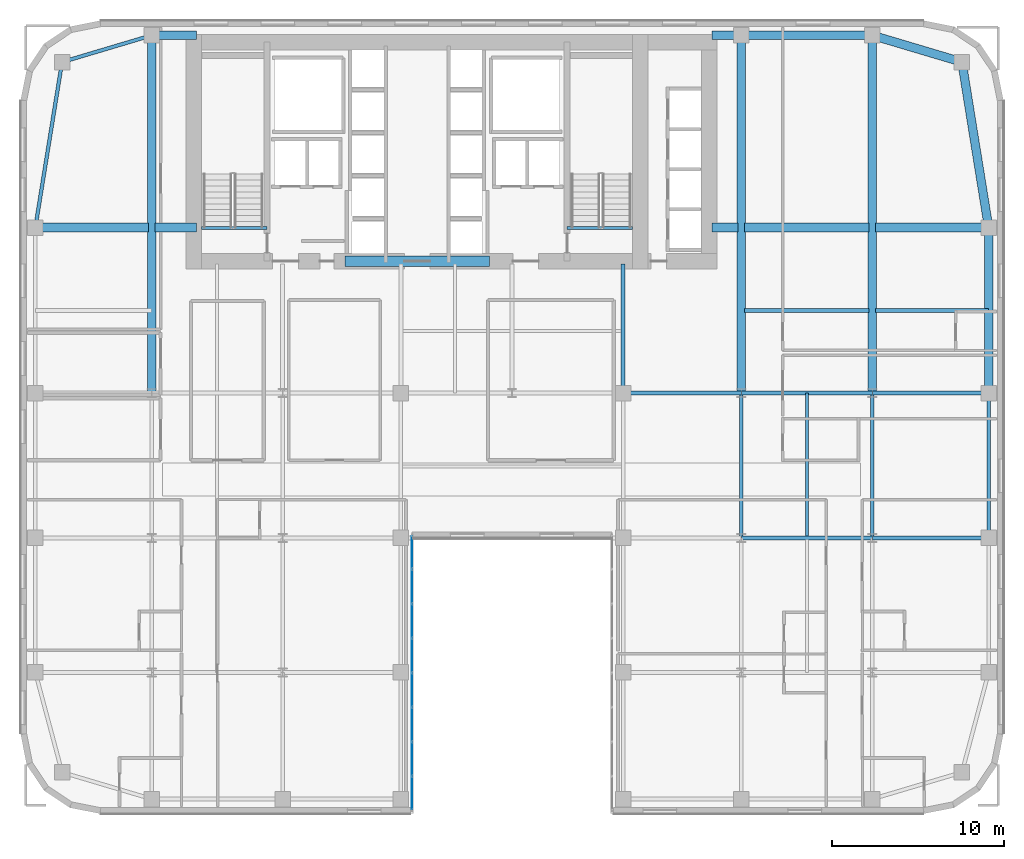
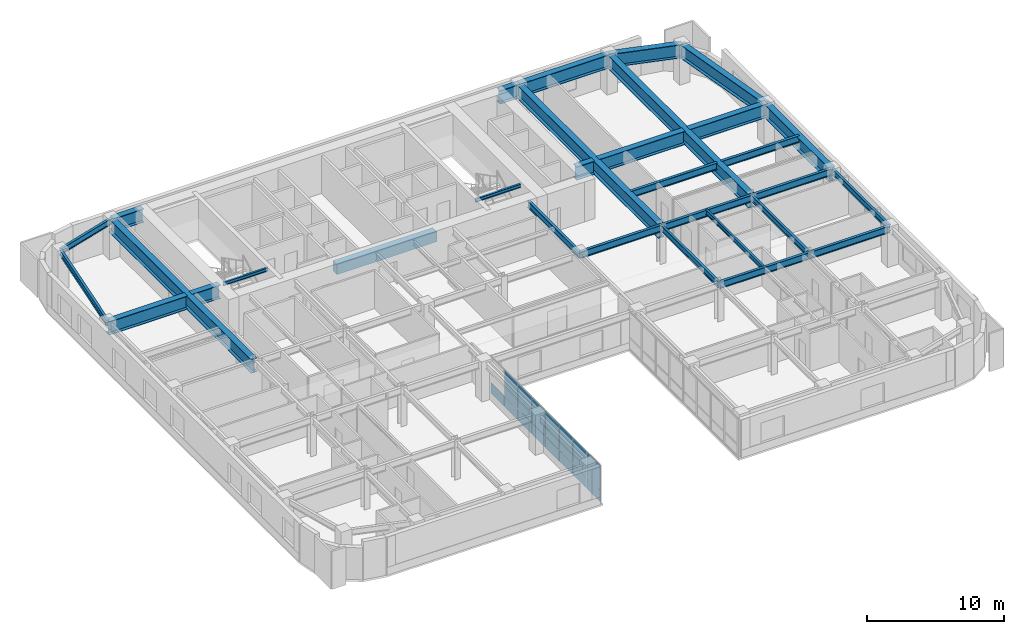
# One storey, part 12 of 24: 31 beams, 15 plates, 1 element without a shape of its own.
"""IFC4 building model written with IfcOpenShell, lengths in metres."""

from ifc_helpers import new_model, si_unit, direction, frame, origin, origin_2d, place, context, subcontext, project, spatial, rectangle, i_section, extrude, source, transform, mapped, material, layer, layer_set, material_profile, profile_set, type_object, type_shapes, element, aggregate, save


model = new_model("IFC4")

# Units and contexts
model_context = context("Model", 3, precision=1e-05, world=origin(), true_north=direction((0.0, 1.0)))
body_context = subcontext(model_context, "Body", "Model", "MODEL_VIEW")
ifc_project = project(units=[si_unit("LENGTHUNIT", "METRE"), si_unit("AREAUNIT", "SQUARE_METRE"), si_unit("VOLUMEUNIT", "CUBIC_METRE"), si_unit("PLANEANGLEUNIT", "RADIAN"), si_unit("MASSUNIT", "GRAM", prefix="KILO")], contexts=[model_context])

# Site, building, storey
site_placement = place(None, origin())
site = spatial("IfcSite", under=ifc_project, at=site_placement, CompositionType="ELEMENT")
building_placement = place(site_placement, origin())
building = spatial("IfcBuilding", under=site, at=building_placement, Name="Tolvann Quenvar Hotel", CompositionType="ELEMENT")
storey_placement = place(building_placement, frame((0.0, 0.0, 88.800048828125)))
storey = spatial("IfcBuildingStorey", under=building, at=storey_placement, Name="L22", CompositionType="ELEMENT", Elevation=88.800048828125)

# Beams
ifc_material_1 = material(Name="Concrete N50 (50 MPa)", Category="concrete")
ifc_material_profile_1 = material_profile(ifc_material_1, rectangle(XDim=0.60009765625, YDim=0.89990234375, at=origin_2d()), Name="RC600x900")
ifc_profile_set_1 = profile_set([ifc_material_profile_1], Name="Concrete N50 (50 MPa)")
beam_type_1 = type_object("IfcBeamType", Name="BM_LINT_RC600x900", PredefinedType="LINTEL", material=ifc_profile_set_1)
shared_shape_1 = source(origin(), body_context, "Body", "SweptSolid", [
    extrude(rectangle(XDim=0.60009765625, YDim=0.89990234375, at=origin_2d()), origin(), (0.0, 0.0, 1.0), 8.39990234375),
])
type_shapes(beam_type_1, [shared_shape_1])
beam_1_placement = place(storey_placement, frame((18.800048828125, 32.050048828125, 2.919921875), z_axis=(1.0, 0.0, 0.0), x_axis=(0.0, 1.0, 0.0)))
element("IfcBeam", 1, at=beam_1_placement, inside=storey, type_object=beam_type_1, Name="Core Coupling Lintel Beam (L22)", PredefinedType="LINTEL", context=body_context, shape_type="MappedRepresentation", body=[
    mapped(shared_shape_1, transform((0.0, 0.0, 0.0), x_axis=(1.0, 0.0, 0.0), y_axis=(0.0, 1.0, 0.0), z_axis=(0.0, 0.0, 1.0), scale=1.0)),
])
ifc_material_2 = material(Name="Steel Grade 350", Category="steel")
ifc_material_profile_2 = material_profile(ifc_material_2, i_section(OverallWidth=0.5, OverallDepth=1.199951171875, WebThickness=0.01611328125, FlangeThickness=0.0400390625, at=origin_2d()), Name="1200WB455")
ifc_profile_set_2 = profile_set([ifc_material_profile_2], Name="Steel Grade 350")
beam_type_2 = type_object("IfcBeamType", Name="BM_TG_1200WB455", PredefinedType="USERDEFINED", material=ifc_profile_set_2)
shared_shape_2 = source(origin(), body_context, "Body", "SweptSolid", [
    extrude(i_section(OverallWidth=0.5, OverallDepth=1.199951171875, WebThickness=0.01611328125, FlangeThickness=0.0400390625, at=origin_2d()), origin(), (0.0, 0.0, 1.0), 7.599853515625),
])
beam_2_placement = place(storey_placement, frame((49.39990234375, 45.14990234375, 2.77001953125), z_axis=(-1.0, 0.0, 0.0), x_axis=(0.0, -1.0, 0.0)))
element("IfcBeam", 2, at=beam_2_placement, inside=storey, type_object=beam_type_2, Name="BM-L22-FLK-E4", ObjectType="TRANSFER GIRDER", PredefinedType="USERDEFINED", context=body_context, shape_type="MappedRepresentation", body=[
    mapped(shared_shape_2, transform((0.0, 0.0, 0.0), x_axis=(1.0, 0.0, 0.0), y_axis=(0.0, 1.0, 0.0), z_axis=(0.0, 0.0, 1.0), scale=1.0)),
])
shared_shape_3 = source(origin(), body_context, "Body", "SweptSolid", [
    extrude(i_section(OverallWidth=0.5, OverallDepth=1.199951171875, WebThickness=0.01611328125, FlangeThickness=0.0400390625, at=origin_2d()), origin(), (0.0, 0.0, 1.0), 9.60009765625),
])
beam_3_placement = place(storey_placement, frame((56.14990234375, 24.39990234375, 2.77001953125), z_axis=(0.0, 1.0, 0.0), x_axis=(-1.0, 0.0, 0.0)))
element("IfcBeam", 3, at=beam_3_placement, inside=storey, type_object=beam_type_2, Name="BM-L22-FLK-E1", ObjectType="TRANSFER GIRDER", PredefinedType="USERDEFINED", context=body_context, shape_type="MappedRepresentation", body=[
    mapped(shared_shape_3, transform((0.0, 0.0, 0.0), x_axis=(1.0, 0.0, 0.0), y_axis=(0.0, 1.0, 0.0), z_axis=(0.0, 0.0, 1.0), scale=1.0)),
])
ifc_material_profile_3 = material_profile(ifc_material_2, i_section(OverallWidth=0.208984375, OverallDepth=0.528076171875, WebThickness=0.009521484375, FlangeThickness=0.01318359375, FilletRadius=0.013916015625, at=origin_2d()), Name="530UB82")
ifc_profile_set_3 = profile_set([ifc_material_profile_3], Name="Steel Grade 350")
beam_type_3 = type_object("IfcBeamType", Name="BM_SPAND_530UB82", PredefinedType="SPANDREL", material=ifc_profile_set_3)
shared_shape_4 = source(origin(), body_context, "Body", "SweptSolid", [
    extrude(i_section(OverallWidth=0.208984375, OverallDepth=0.528076171875, WebThickness=0.009521484375, FlangeThickness=0.01318359375, FilletRadius=0.013916015625, at=origin_2d()), origin(), (0.0, 0.0, 1.0), 5.42626953125),
])
beam_4_placement = place(storey_placement, frame((2.39990234375, 43.60009765625, 3.10595703125), z_axis=(0.958344815522, 0.285613750654, 0.0), x_axis=(-0.285613750654, 0.958344815522, 0.0)))
element("IfcBeam", 4, at=beam_4_placement, inside=storey, type_object=beam_type_3, Name="BM-L22-FLK-W3", PredefinedType="SPANDREL", context=body_context, shape_type="MappedRepresentation", body=[
    mapped(shared_shape_4, transform((0.0, 0.0, 0.0), x_axis=(1.0, 0.0, 0.0), y_axis=(0.0, 1.0, 0.0), z_axis=(0.0, 0.0, 1.0), scale=1.0)),
])
ifc_material_profile_4 = material_profile(ifc_material_2, i_section(OverallWidth=0.22900390625, OverallDepth=0.612060546875, WebThickness=0.011962890625, FlangeThickness=0.01953125, FilletRadius=0.013916015625, at=origin_2d()), Name="610UB125")
ifc_profile_set_4 = profile_set([ifc_material_profile_4], Name="Steel Grade 350")
beam_type_4 = type_object("IfcBeamType", Name="BM_GIRD_610UB125", PredefinedType="BEAM", material=ifc_profile_set_4)
shared_shape_5 = source(origin(), body_context, "Body", "SweptSolid", [
    extrude(i_section(OverallWidth=0.22900390625, OverallDepth=0.612060546875, WebThickness=0.011962890625, FlangeThickness=0.01953125, FilletRadius=0.013916015625, at=origin_2d()), origin(), (0.0, 0.0, 1.0), 6.75),
])
for number, where, z_axis, x_axis, name in (
    (5, (49.39990234375, 16.0, 3.06396484375), (1.0, 0.0, 0.0), (0.0, 1.0, 0.0), "BM-L22-EW-4-I4-J4"),
    (6, (49.39990234375, 24.39990234375, 3.06396484375), (1.0, 0.0, 0.0), (0.0, 1.0, 0.0), "BM-L22-EW-5-I5-J5"),
):
    element("IfcBeam", number, at=place(storey_placement, frame(where, z_axis=z_axis, x_axis=x_axis)), inside=storey, type_object=beam_type_4, Name=name, PredefinedType="BEAM", context=body_context, shape_type="MappedRepresentation", body=[
        mapped(shared_shape_5, transform((0.0, 0.0, 0.0), x_axis=(1.0, 0.0, 0.0), y_axis=(0.0, 1.0, 0.0), z_axis=(0.0, 0.0, 1.0), scale=1.0)),
    ])
shared_shape_6 = source(origin(), body_context, "Body", "SweptSolid", [
    extrude(i_section(OverallWidth=0.22900390625, OverallDepth=0.612060546875, WebThickness=0.011962890625, FlangeThickness=0.01953125, FilletRadius=0.013916015625, at=origin_2d()), origin(), (0.0, 0.0, 1.0), 7.599853515625),
])
for number, where, z_axis, x_axis, name in (
    (7, (41.800048828125, 16.0, 3.06396484375), (1.0, 0.0, 0.0), (0.0, 1.0, 0.0), "BM-L22-EW-4-H4-I4"),
    (8, (41.800048828125, 24.39990234375, 3.06396484375), (1.0, 0.0, 0.0), (0.0, 1.0, 0.0), "BM-L22-EW-5-H5-I5"),
):
    element("IfcBeam", number, at=place(storey_placement, frame(where, z_axis=z_axis, x_axis=x_axis)), inside=storey, type_object=beam_type_4, Name=name, PredefinedType="BEAM", context=body_context, shape_type="MappedRepresentation", body=[
        mapped(shared_shape_6, transform((0.0, 0.0, 0.0), x_axis=(1.0, 0.0, 0.0), y_axis=(0.0, 1.0, 0.0), z_axis=(0.0, 0.0, 1.0), scale=1.0)),
    ])
shared_shape_7 = source(origin(), body_context, "Body", "SweptSolid", [
    extrude(i_section(OverallWidth=0.22900390625, OverallDepth=0.612060546875, WebThickness=0.011962890625, FlangeThickness=0.01953125, FilletRadius=0.013916015625, at=origin_2d()), origin(), (0.0, 0.0, 1.0), 6.85009765625),
])
beam_5_placement = place(storey_placement, frame((34.949951171875, 24.39990234375, 3.06396484375), z_axis=(1.0, 0.0, 0.0), x_axis=(0.0, 1.0, 0.0)))
element("IfcBeam", 9, at=beam_5_placement, inside=storey, type_object=beam_type_4, Name="BM-L22-EW-5-F5-H5", PredefinedType="BEAM", context=body_context, shape_type="MappedRepresentation", body=[
    mapped(shared_shape_7, transform((0.0, 0.0, 0.0), x_axis=(1.0, 0.0, 0.0), y_axis=(0.0, 1.0, 0.0), z_axis=(0.0, 0.0, 1.0), scale=1.0)),
])
shared_shape_8 = source(origin(), body_context, "Body", "SweptSolid", [
    extrude(i_section(OverallWidth=0.208984375, OverallDepth=0.528076171875, WebThickness=0.009521484375, FlangeThickness=0.01318359375, FilletRadius=0.013916015625, at=origin_2d()), origin(), (0.0, 0.0, 1.0), 8.39990234375),
])
beam_6_placement = place(storey_placement, frame((56.14990234375, 16.0, 3.10595703125), z_axis=(0.0, 1.0, 0.0), x_axis=(-1.0, 0.0, 0.0)))
element("IfcBeam", 10, at=beam_6_placement, inside=storey, type_object=beam_type_3, Name="BM-L22-NS-J4-J5", PredefinedType="SPANDREL", context=body_context, shape_type="MappedRepresentation", body=[
    mapped(shared_shape_8, transform((0.0, 0.0, 0.0), x_axis=(1.0, 0.0, 0.0), y_axis=(0.0, 1.0, 0.0), z_axis=(0.0, 0.0, 1.0), scale=1.0)),
])
ifc_material_profile_5 = material_profile(ifc_material_2, i_section(OverallWidth=0.208984375, OverallDepth=0.532958984375, WebThickness=0.01025390625, FlangeThickness=0.015625, FilletRadius=0.013916015625, at=origin_2d()), Name="530UB92")
ifc_profile_set_5 = profile_set([ifc_material_profile_5], Name="Steel Grade 350")
beam_type_5 = type_object("IfcBeamType", Name="BM_GIRD_530UB92", PredefinedType="BEAM", material=ifc_profile_set_5)
shared_shape_9 = source(origin(), body_context, "Body", "SweptSolid", [
    extrude(i_section(OverallWidth=0.208984375, OverallDepth=0.532958984375, WebThickness=0.01025390625, FlangeThickness=0.015625, FilletRadius=0.013916015625, at=origin_2d()), origin(), (0.0, 0.0, 1.0), 8.39990234375),
])
type_shapes(beam_type_5, [shared_shape_9])
for number, where, z_axis, x_axis, name in (
    (11, (41.800048828125, 16.0, 3.103515625), (0.0, 1.0, 0.0), (-1.0, 0.0, 0.0), "BM-L22-NS-H4-H5"),
    (12, (49.39990234375, 16.0, 3.103515625), (0.0, 1.0, 0.0), (-1.0, 0.0, 0.0), "BM-L22-NS-I4-I5"),
):
    element("IfcBeam", number, at=place(storey_placement, frame(where, z_axis=z_axis, x_axis=x_axis)), inside=storey, type_object=beam_type_5, Name=name, PredefinedType="BEAM", context=body_context, shape_type="MappedRepresentation", body=[
        mapped(shared_shape_9, transform((0.0, 0.0, 0.0), x_axis=(1.0, 0.0, 0.0), y_axis=(0.0, 1.0, 0.0), z_axis=(0.0, 0.0, 1.0), scale=1.0)),
    ])
shared_shape_10 = source(origin(), body_context, "Body", "SweptSolid", [
    extrude(i_section(OverallWidth=0.22900390625, OverallDepth=0.612060546875, WebThickness=0.011962890625, FlangeThickness=0.01953125, FilletRadius=0.013916015625, at=origin_2d()), origin(), (0.0, 0.0, 1.0), 7.5),
])
beam_7_placement = place(storey_placement, frame((34.949951171875, 24.39990234375, 3.06396484375), z_axis=(0.0, 1.0, 0.0), x_axis=(-1.0, 0.0, 0.0)))
element("IfcBeam", 13, at=beam_7_placement, inside=storey, type_object=beam_type_4, Name="BM-L22-CORE-F5", PredefinedType="BEAM", context=body_context, shape_type="MappedRepresentation", body=[
    mapped(shared_shape_10, transform((0.0, 0.0, 0.0), x_axis=(1.0, 0.0, 0.0), y_axis=(0.0, 1.0, 0.0), z_axis=(0.0, 0.0, 1.0), scale=1.0)),
])
shared_shape_11 = source(origin(), body_context, "Body", "SweptSolid", [
    extrude(i_section(OverallWidth=0.208984375, OverallDepth=0.528076171875, WebThickness=0.009521484375, FlangeThickness=0.01318359375, FilletRadius=0.013916015625, at=origin_2d()), origin(), (0.0, 0.0, 1.0), 9.724365234375),
])
type_shapes(beam_type_3, [shared_shape_4, shared_shape_8, shared_shape_11])
beam_8_placement = place(storey_placement, frame((0.85009765625, 34.0, 3.10595703125), z_axis=(0.159372939192, 0.987218449105, 0.0), x_axis=(-0.987218449105, 0.159372939192, 0.0)))
element("IfcBeam", 14, at=beam_8_placement, inside=storey, type_object=beam_type_3, Name="BM-L22-FLK-W2", PredefinedType="SPANDREL", context=body_context, shape_type="MappedRepresentation", body=[
    mapped(shared_shape_11, transform((0.0, 0.0, 0.0), x_axis=(1.0, 0.0, 0.0), y_axis=(0.0, 1.0, 0.0), z_axis=(0.0, 0.0, 1.0), scale=1.0)),
])
shared_shape_12 = source(origin(), body_context, "Body", "SweptSolid", [
    extrude(i_section(OverallWidth=0.5, OverallDepth=1.199951171875, WebThickness=0.01611328125, FlangeThickness=0.0400390625, at=origin_2d()), origin(), (0.0, 0.0, 1.0), 20.75),
])
for number, where, z_axis, x_axis, name in (
    (15, (7.60009765625, 24.39990234375, 2.77001953125), (0.0, 1.0, 0.0), (-1.0, 0.0, 0.0), "BM-L22-FLK-WC"),
    (16, (41.800048828125, 24.39990234375, 2.77001953125), (0.0, 1.0, 0.0), (-1.0, 0.0, 0.0), "BM-L22-FLK-EH"),
    (17, (49.39990234375, 24.39990234375, 2.77001953125), (0.0, 1.0, 0.0), (-1.0, 0.0, 0.0), "BM-L22-FLK-EI"),
):
    element("IfcBeam", number, at=place(storey_placement, frame(where, z_axis=z_axis, x_axis=x_axis)), inside=storey, type_object=beam_type_2, Name=name, ObjectType="TRANSFER GIRDER", PredefinedType="USERDEFINED", context=body_context, shape_type="MappedRepresentation", body=[
        mapped(shared_shape_12, transform((0.0, 0.0, 0.0), x_axis=(1.0, 0.0, 0.0), y_axis=(0.0, 1.0, 0.0), z_axis=(0.0, 0.0, 1.0), scale=1.0)),
    ])
shared_shape_13 = source(origin(), body_context, "Body", "SweptSolid", [
    extrude(i_section(OverallWidth=0.5, OverallDepth=1.199951171875, WebThickness=0.01611328125, FlangeThickness=0.0400390625, at=origin_2d()), origin(), (0.0, 0.0, 1.0), 6.56982421875),
])
for number, where, z_axis, x_axis, name in (
    (18, (0.85009765625, 34.0, 2.77001953125), (1.0, 0.0, 0.0), (0.0, 1.0, 0.0), "BM-L22-CTW-MID1"),
    (19, (49.580078125, 34.0, 2.77001953125), (1.0, 0.0, 0.0), (0.0, 1.0, 0.0), "BM-L22-CTE-JD6C"),
):
    element("IfcBeam", number, at=place(storey_placement, frame(where, z_axis=z_axis, x_axis=x_axis)), inside=storey, type_object=beam_type_2, Name=name, ObjectType="TRANSFER GIRDER", PredefinedType="USERDEFINED", context=body_context, shape_type="MappedRepresentation", body=[
        mapped(shared_shape_13, transform((0.0, 0.0, 0.0), x_axis=(1.0, 0.0, 0.0), y_axis=(0.0, 1.0, 0.0), z_axis=(0.0, 0.0, 1.0), scale=1.0)),
    ])
shared_shape_14 = source(origin(), body_context, "Body", "SweptSolid", [
    extrude(i_section(OverallWidth=0.5, OverallDepth=1.199951171875, WebThickness=0.01611328125, FlangeThickness=0.0400390625, at=origin_2d()), origin(), (0.0, 0.0, 1.0), 2.419921875),
])
beam_9_placement = place(storey_placement, frame((7.780029296875, 34.0, 2.77001953125), z_axis=(1.0, 0.0, 0.0), x_axis=(0.0, 1.0, 0.0)))
element("IfcBeam", 20, at=beam_9_placement, inside=storey, type_object=beam_type_2, Name="BM-L22-CTW-MID2", ObjectType="TRANSFER GIRDER", PredefinedType="USERDEFINED", context=body_context, shape_type="MappedRepresentation", body=[
    mapped(shared_shape_14, transform((0.0, 0.0, 0.0), x_axis=(1.0, 0.0, 0.0), y_axis=(0.0, 1.0, 0.0), z_axis=(0.0, 0.0, 1.0), scale=1.0)),
])
shared_shape_15 = source(origin(), body_context, "Body", "SweptSolid", [
    extrude(i_section(OverallWidth=0.5, OverallDepth=1.199951171875, WebThickness=0.01611328125, FlangeThickness=0.0400390625, at=origin_2d()), origin(), (0.0, 0.0, 1.0), 2.599853515625),
])
beam_10_placement = place(storey_placement, frame((7.60009765625, 45.14990234375, 2.77001953125), z_axis=(1.0, 0.0, 0.0), x_axis=(0.0, 1.0, 0.0)))
element("IfcBeam", 21, at=beam_10_placement, inside=storey, type_object=beam_type_2, Name="BM-L22-CTW-CN", ObjectType="TRANSFER GIRDER", PredefinedType="USERDEFINED", context=body_context, shape_type="MappedRepresentation", body=[
    mapped(shared_shape_15, transform((0.0, 0.0, 0.0), x_axis=(1.0, 0.0, 0.0), y_axis=(0.0, 1.0, 0.0), z_axis=(0.0, 0.0, 1.0), scale=1.0)),
])
shared_shape_16 = source(origin(), body_context, "Body", "SweptSolid", [
    extrude(i_section(OverallWidth=0.5, OverallDepth=1.199951171875, WebThickness=0.01611328125, FlangeThickness=0.0400390625, at=origin_2d()), origin(), (0.0, 0.0, 1.0), 9.724365234375),
])
beam_11_placement = place(storey_placement, frame((56.14990234375, 34.0, 2.77001953125), z_axis=(-0.159372939192, 0.987218449105, 0.0), x_axis=(-0.987218449105, -0.159372939192, 0.0)))
element("IfcBeam", 22, at=beam_11_placement, inside=storey, type_object=beam_type_2, Name="BM-L22-FLK-E2", ObjectType="TRANSFER GIRDER", PredefinedType="USERDEFINED", context=body_context, shape_type="MappedRepresentation", body=[
    mapped(shared_shape_16, transform((0.0, 0.0, 0.0), x_axis=(1.0, 0.0, 0.0), y_axis=(0.0, 1.0, 0.0), z_axis=(0.0, 0.0, 1.0), scale=1.0)),
])
shared_shape_17 = source(origin(), body_context, "Body", "SweptSolid", [
    extrude(i_section(OverallWidth=0.5, OverallDepth=1.199951171875, WebThickness=0.01611328125, FlangeThickness=0.0400390625, at=origin_2d()), origin(), (0.0, 0.0, 1.0), 5.42626953125),
])
beam_12_placement = place(storey_placement, frame((54.60009765625, 43.60009765625, 2.77001953125), z_axis=(-0.958344815522, 0.285613750654, 0.0), x_axis=(-0.285613750654, -0.958344815522, 0.0)))
element("IfcBeam", 23, at=beam_12_placement, inside=storey, type_object=beam_type_2, Name="BM-L22-FLK-E3", ObjectType="TRANSFER GIRDER", PredefinedType="USERDEFINED", context=body_context, shape_type="MappedRepresentation", body=[
    mapped(shared_shape_17, transform((0.0, 0.0, 0.0), x_axis=(1.0, 0.0, 0.0), y_axis=(0.0, 1.0, 0.0), z_axis=(0.0, 0.0, 1.0), scale=1.0)),
])
shared_shape_18 = source(origin(), body_context, "Body", "SweptSolid", [
    extrude(i_section(OverallWidth=0.5, OverallDepth=1.199951171875, WebThickness=0.01611328125, FlangeThickness=0.0400390625, at=origin_2d()), origin(), (0.0, 0.0, 1.0), 1.699951171875),
])
beam_13_placement = place(storey_placement, frame((40.10009765625, 45.14990234375, 2.77001953125), z_axis=(1.0, 0.0, 0.0), x_axis=(0.0, 1.0, 0.0)))
element("IfcBeam", 24, at=beam_13_placement, inside=storey, type_object=beam_type_2, Name="BM-L22-CTE-HN", ObjectType="TRANSFER GIRDER", PredefinedType="USERDEFINED", context=body_context, shape_type="MappedRepresentation", body=[
    mapped(shared_shape_18, transform((0.0, 0.0, 0.0), x_axis=(1.0, 0.0, 0.0), y_axis=(0.0, 1.0, 0.0), z_axis=(0.0, 0.0, 1.0), scale=1.0)),
])
shared_shape_19 = source(origin(), body_context, "Body", "SweptSolid", [
    extrude(i_section(OverallWidth=0.5, OverallDepth=1.199951171875, WebThickness=0.01611328125, FlangeThickness=0.0400390625, at=origin_2d()), origin(), (0.0, 0.0, 1.0), 1.52001953125),
])
beam_14_placement = place(storey_placement, frame((40.10009765625, 34.0, 2.77001953125), z_axis=(1.0, 0.0, 0.0), x_axis=(0.0, 1.0, 0.0)))
element("IfcBeam", 25, at=beam_14_placement, inside=storey, type_object=beam_type_2, Name="BM-L22-CTE-JD6A", ObjectType="TRANSFER GIRDER", PredefinedType="USERDEFINED", context=body_context, shape_type="MappedRepresentation", body=[
    mapped(shared_shape_19, transform((0.0, 0.0, 0.0), x_axis=(1.0, 0.0, 0.0), y_axis=(0.0, 1.0, 0.0), z_axis=(0.0, 0.0, 1.0), scale=1.0)),
])
shared_shape_20 = source(origin(), body_context, "Body", "SweptSolid", [
    extrude(i_section(OverallWidth=0.5, OverallDepth=1.199951171875, WebThickness=0.01611328125, FlangeThickness=0.0400390625, at=origin_2d()), origin(), (0.0, 0.0, 1.0), 7.239990234375),
])
type_shapes(beam_type_2, [shared_shape_2, shared_shape_3, shared_shape_12, shared_shape_13, shared_shape_14, shared_shape_15, shared_shape_16, shared_shape_17, shared_shape_18, shared_shape_19, shared_shape_20])
beam_15_placement = place(storey_placement, frame((41.97998046875, 34.0, 2.77001953125), z_axis=(1.0, 0.0, 0.0), x_axis=(0.0, 1.0, 0.0)))
element("IfcBeam", 26, at=beam_15_placement, inside=storey, type_object=beam_type_2, Name="BM-L22-CTE-JD6B", ObjectType="TRANSFER GIRDER", PredefinedType="USERDEFINED", context=body_context, shape_type="MappedRepresentation", body=[
    mapped(shared_shape_20, transform((0.0, 0.0, 0.0), x_axis=(1.0, 0.0, 0.0), y_axis=(0.0, 1.0, 0.0), z_axis=(0.0, 0.0, 1.0), scale=1.0)),
])
shared_shape_21 = source(origin(), body_context, "Body", "SweptSolid", [
    extrude(i_section(OverallWidth=0.22900390625, OverallDepth=0.612060546875, WebThickness=0.011962890625, FlangeThickness=0.01953125, FilletRadius=0.013916015625, at=origin_2d()), origin(), (0.0, 0.0, 1.0), 7.239990234375),
])
beam_16_placement = place(storey_placement, frame((41.97998046875, 29.199951171875, 3.06396484375), z_axis=(1.0, 0.0, 0.0), x_axis=(0.0, 1.0, 0.0)))
element("IfcBeam", 27, at=beam_16_placement, inside=storey, type_object=beam_type_4, Name="BM-L22-EW-HI29", PredefinedType="BEAM", context=body_context, shape_type="MappedRepresentation", body=[
    mapped(shared_shape_21, transform((0.0, 0.0, 0.0), x_axis=(1.0, 0.0, 0.0), y_axis=(0.0, 1.0, 0.0), z_axis=(0.0, 0.0, 1.0), scale=1.0)),
])
shared_shape_22 = source(origin(), body_context, "Body", "SweptSolid", [
    extrude(i_section(OverallWidth=0.22900390625, OverallDepth=0.612060546875, WebThickness=0.011962890625, FlangeThickness=0.01953125, FilletRadius=0.013916015625, at=origin_2d()), origin(), (0.0, 0.0, 1.0), 6.56982421875),
])
type_shapes(beam_type_4, [shared_shape_5, shared_shape_6, shared_shape_7, shared_shape_10, shared_shape_21, shared_shape_22])
beam_17_placement = place(storey_placement, frame((49.580078125, 29.199951171875, 3.06396484375), z_axis=(1.0, 0.0, 0.0), x_axis=(0.0, 1.0, 0.0)))
element("IfcBeam", 28, at=beam_17_placement, inside=storey, type_object=beam_type_4, Name="BM-L22-EW-IJ29", PredefinedType="BEAM", context=body_context, shape_type="MappedRepresentation", body=[
    mapped(shared_shape_22, transform((0.0, 0.0, 0.0), x_axis=(1.0, 0.0, 0.0), y_axis=(0.0, 1.0, 0.0), z_axis=(0.0, 0.0, 1.0), scale=1.0)),
])
ifc_material_profile_6 = material_profile(ifc_material_2, i_section(OverallWidth=0.177978515625, OverallDepth=0.406005859375, WebThickness=0.0078125, FlangeThickness=0.0126953125, FilletRadius=0.011474609375, at=origin_2d()), Name="410UB60")
ifc_profile_set_6 = profile_set([ifc_material_profile_6], Name="Steel Grade 350")
beam_type_6 = type_object("IfcBeamType", Name="BM_JOIST_410UB60", PredefinedType="JOIST", material=ifc_profile_set_6)
shared_shape_23 = source(origin(), body_context, "Body", "SweptSolid", [
    extrude(i_section(OverallWidth=0.177978515625, OverallDepth=0.406005859375, WebThickness=0.0078125, FlangeThickness=0.0126953125, FilletRadius=0.011474609375, at=origin_2d()), origin(), (0.0, 0.0, 1.0), 8.29150390625),
])
type_shapes(beam_type_6, [shared_shape_23])
beam_18_placement = place(storey_placement, frame((45.60009765625, 16.1083984375, 3.1669921875), z_axis=(0.0, 1.0, 0.0), x_axis=(-1.0, 0.0, 0.0)))
element("IfcBeam", 29, at=beam_18_placement, inside=storey, type_object=beam_type_6, Name="BJ-L22-456-160", PredefinedType="JOIST", context=body_context, shape_type="MappedRepresentation", body=[
    mapped(shared_shape_23, transform((0.0, 0.0, 0.0), x_axis=(1.0, 0.0, 0.0), y_axis=(0.0, 1.0, 0.0), z_axis=(0.0, 0.0, 1.0), scale=1.0)),
])
ifc_material_profile_7 = material_profile(ifc_material_2, i_section(OverallWidth=0.166015625, OverallDepth=0.306884765625, WebThickness=0.006591796875, FlangeThickness=0.01171875, FilletRadius=0.011474609375, at=origin_2d()), Name="310UB46")
ifc_profile_set_7 = profile_set([ifc_material_profile_7], Name="Steel Grade 350")
beam_type_7 = type_object("IfcBeamType", Name="BM_JOIST_310UB46", PredefinedType="JOIST", material=ifc_profile_set_7)
shared_shape_24 = source(origin(), body_context, "Body", "SweptSolid", [
    extrude(i_section(OverallWidth=0.166015625, OverallDepth=0.306884765625, WebThickness=0.006591796875, FlangeThickness=0.01171875, FilletRadius=0.011474609375, at=origin_2d()), origin(), (0.0, 0.0, 1.0), 3.800048828125),
])
type_shapes(beam_type_7, [shared_shape_24])
for number, where, z_axis, x_axis, name in (
    (30, (10.5, 33.97998046875, 3.216552734375), (1.0, 0.0, 0.0), (0.0, 1.0, 0.0), "BM-HDR-STC1-L23"),
    (31, (31.699951171875, 33.97998046875, 3.216552734375), (1.0, 0.0, 0.0), (0.0, 1.0, 0.0), "BM-HDR-STC2-L23"),
):
    element("IfcBeam", number, at=place(storey_placement, frame(where, z_axis=z_axis, x_axis=x_axis)), inside=storey, type_object=beam_type_7, Name=name, PredefinedType="JOIST", context=body_context, shape_type="MappedRepresentation", body=[
        mapped(shared_shape_24, transform((0.0, 0.0, 0.0), x_axis=(1.0, 0.0, 0.0), y_axis=(0.0, 1.0, 0.0), z_axis=(0.0, 0.0, 1.0), scale=1.0)),
    ])

# Curtain wall, plates
ifc_material_3 = material(Name="Thermally broken anodised architectural aluminium 6063-T6 and laminated low-E glass", Category="aluminium")
ifc_layer_1 = layer(ifc_material_3, 0.179931640625)
ifc_layer_set_1 = layer_set([ifc_layer_1], Name="Thermally broken anodised architectural aluminium 6063-T6 and laminated low-E glass")
curtain_wall_type = type_object("IfcCurtainWallType", Name="CW_SYS_SLOT_03", PredefinedType="USERDEFINED", material=ifc_layer_set_1)
curtain_wall_placement = place(storey_placement, origin())
curtain_wall = element("IfcCurtainWall", 32, at=curtain_wall_placement, inside=storey, type_object=curtain_wall_type, Name="Curtain Wall CW-SLOT-03 (CWR-L22-E05)", ObjectType="UNITISED CURTAIN WALL", PredefinedType="USERDEFINED")
ifc_material_4 = material(Name="Low-iron laminated double glazing with solar-control coating", Category="glass")
ifc_layer_2 = layer(ifc_material_4, 0.028076171875)
ifc_layer_set_2 = layer_set([ifc_layer_2], Name="Low-iron laminated double glazing with solar-control coating")
plate_type = type_object("IfcPlateType", Name="CW_PAN_VISION_28", PredefinedType="CURTAIN_PANEL", material=ifc_layer_set_2)
shared_shape_25 = source(origin(), body_context, "Body", "SweptSolid", [
    extrude(rectangle(XDim=1.89501953125, YDim=0.028076171875, at=origin_2d()), origin(), (0.0, 0.0, 1.0), 0.9599609375),
])
plate_1_placement = place(storey_placement, frame((22.7099609375, 1.1923828125, 0.06005859375), z_axis=(0.0, 0.0, 1.0), x_axis=(0.0, 1.0, 0.0)))
plate_1 = element("IfcPlate", 33, at=plate_1_placement, type_object=plate_type, Name="CW-SLOT-03 panel 1.1", PredefinedType="CURTAIN_PANEL", context=body_context, shape_type="MappedRepresentation", body=[
    mapped(shared_shape_25, transform((0.0, 0.0, 0.0), x_axis=(1.0, 0.0, 0.0), y_axis=(0.0, 1.0, 0.0), z_axis=(0.0, 0.0, 1.0), scale=1.0)),
])
plate_2_placement = place(storey_placement, frame((22.7099609375, 15.157470703125, 0.06005859375), z_axis=(0.0, 0.0, 1.0), x_axis=(0.0, 1.0, 0.0)))
plate_2 = element("IfcPlate", 34, at=plate_2_placement, type_object=plate_type, Name="CW-SLOT-03 panel 8.1", PredefinedType="CURTAIN_PANEL", context=body_context, shape_type="MappedRepresentation", body=[
    mapped(shared_shape_25, transform((0.0, 0.0, 0.0), x_axis=(1.0, 0.0, 0.0), y_axis=(0.0, 1.0, 0.0), z_axis=(0.0, 0.0, 1.0), scale=1.0)),
])
shared_shape_26 = source(origin(), body_context, "Body", "SweptSolid", [
    extrude(rectangle(XDim=1.89501953125, YDim=0.028076171875, at=origin_2d()), origin(), (0.0, 0.0, 1.0), 2.22998046875),
])
plate_3_placement = place(storey_placement, frame((22.7099609375, 1.1923828125, 1.080078125), z_axis=(0.0, 0.0, 1.0), x_axis=(0.0, 1.0, 0.0)))
plate_3 = element("IfcPlate", 35, at=plate_3_placement, type_object=plate_type, Name="CW-SLOT-03 panel 1.2", PredefinedType="CURTAIN_PANEL", context=body_context, shape_type="MappedRepresentation", body=[
    mapped(shared_shape_26, transform((0.0, 0.0, 0.0), x_axis=(1.0, 0.0, 0.0), y_axis=(0.0, 1.0, 0.0), z_axis=(0.0, 0.0, 1.0), scale=1.0)),
])
shared_shape_27 = source(origin(), body_context, "Body", "SweptSolid", [
    extrude(rectangle(XDim=1.929931640625, YDim=0.028076171875, at=origin_2d()), origin(), (0.0, 0.0, 1.0), 0.9599609375),
])
plate_4_placement = place(storey_placement, frame((22.7099609375, 3.175048828125, 0.06005859375), z_axis=(0.0, 0.0, 1.0), x_axis=(0.0, 1.0, 0.0)))
plate_4 = element("IfcPlate", 36, at=plate_4_placement, type_object=plate_type, Name="CW-SLOT-03 panel 2.1", PredefinedType="CURTAIN_PANEL", context=body_context, shape_type="MappedRepresentation", body=[
    mapped(shared_shape_27, transform((0.0, 0.0, 0.0), x_axis=(1.0, 0.0, 0.0), y_axis=(0.0, 1.0, 0.0), z_axis=(0.0, 0.0, 1.0), scale=1.0)),
])
plate_5_placement = place(storey_placement, frame((22.7099609375, 5.175048828125, 0.06005859375), z_axis=(0.0, 0.0, 1.0), x_axis=(0.0, 1.0, 0.0)))
plate_5 = element("IfcPlate", 37, at=plate_5_placement, type_object=plate_type, Name="CW-SLOT-03 panel 3.1", PredefinedType="CURTAIN_PANEL", context=body_context, shape_type="MappedRepresentation", body=[
    mapped(shared_shape_27, transform((0.0, 0.0, 0.0), x_axis=(1.0, 0.0, 0.0), y_axis=(0.0, 1.0, 0.0), z_axis=(0.0, 0.0, 1.0), scale=1.0)),
])
plate_6_placement = place(storey_placement, frame((22.7099609375, 7.175048828125, 0.06005859375), z_axis=(0.0, 0.0, 1.0), x_axis=(0.0, 1.0, 0.0)))
plate_6 = element("IfcPlate", 38, at=plate_6_placement, type_object=plate_type, Name="CW-SLOT-03 panel 4.1", PredefinedType="CURTAIN_PANEL", context=body_context, shape_type="MappedRepresentation", body=[
    mapped(shared_shape_27, transform((0.0, 0.0, 0.0), x_axis=(1.0, 0.0, 0.0), y_axis=(0.0, 1.0, 0.0), z_axis=(0.0, 0.0, 1.0), scale=1.0)),
])
plate_7_placement = place(storey_placement, frame((22.7099609375, 9.175048828125, 0.06005859375), z_axis=(0.0, 0.0, 1.0), x_axis=(0.0, 1.0, 0.0)))
plate_7 = element("IfcPlate", 39, at=plate_7_placement, type_object=plate_type, Name="CW-SLOT-03 panel 5.1", PredefinedType="CURTAIN_PANEL", context=body_context, shape_type="MappedRepresentation", body=[
    mapped(shared_shape_27, transform((0.0, 0.0, 0.0), x_axis=(1.0, 0.0, 0.0), y_axis=(0.0, 1.0, 0.0), z_axis=(0.0, 0.0, 1.0), scale=1.0)),
])
plate_8_placement = place(storey_placement, frame((22.7099609375, 11.175048828125, 0.06005859375), z_axis=(0.0, 0.0, 1.0), x_axis=(0.0, 1.0, 0.0)))
plate_8 = element("IfcPlate", 40, at=plate_8_placement, type_object=plate_type, Name="CW-SLOT-03 panel 6.1", PredefinedType="CURTAIN_PANEL", context=body_context, shape_type="MappedRepresentation", body=[
    mapped(shared_shape_27, transform((0.0, 0.0, 0.0), x_axis=(1.0, 0.0, 0.0), y_axis=(0.0, 1.0, 0.0), z_axis=(0.0, 0.0, 1.0), scale=1.0)),
])
plate_9_placement = place(storey_placement, frame((22.7099609375, 13.175048828125, 0.06005859375), z_axis=(0.0, 0.0, 1.0), x_axis=(0.0, 1.0, 0.0)))
plate_9 = element("IfcPlate", 41, at=plate_9_placement, type_object=plate_type, Name="CW-SLOT-03 panel 7.1", PredefinedType="CURTAIN_PANEL", context=body_context, shape_type="MappedRepresentation", body=[
    mapped(shared_shape_27, transform((0.0, 0.0, 0.0), x_axis=(1.0, 0.0, 0.0), y_axis=(0.0, 1.0, 0.0), z_axis=(0.0, 0.0, 1.0), scale=1.0)),
])
shared_shape_28 = source(origin(), body_context, "Body", "SweptSolid", [
    extrude(rectangle(XDim=1.929931640625, YDim=0.028076171875, at=origin_2d()), origin(), (0.0, 0.0, 1.0), 2.22998046875),
])
type_shapes(plate_type, [shared_shape_25, shared_shape_26, shared_shape_27, shared_shape_28])
plate_10_placement = place(storey_placement, frame((22.7099609375, 3.175048828125, 1.080078125), z_axis=(0.0, 0.0, 1.0), x_axis=(0.0, 1.0, 0.0)))
plate_10 = element("IfcPlate", 42, at=plate_10_placement, type_object=plate_type, Name="CW-SLOT-03 panel 2.2", PredefinedType="CURTAIN_PANEL", context=body_context, shape_type="MappedRepresentation", body=[
    mapped(shared_shape_28, transform((0.0, 0.0, 0.0), x_axis=(1.0, 0.0, 0.0), y_axis=(0.0, 1.0, 0.0), z_axis=(0.0, 0.0, 1.0), scale=1.0)),
])
plate_11_placement = place(storey_placement, frame((22.7099609375, 5.175048828125, 1.080078125), z_axis=(0.0, 0.0, 1.0), x_axis=(0.0, 1.0, 0.0)))
plate_11 = element("IfcPlate", 43, at=plate_11_placement, type_object=plate_type, Name="CW-SLOT-03 panel 3.2", PredefinedType="CURTAIN_PANEL", context=body_context, shape_type="MappedRepresentation", body=[
    mapped(shared_shape_28, transform((0.0, 0.0, 0.0), x_axis=(1.0, 0.0, 0.0), y_axis=(0.0, 1.0, 0.0), z_axis=(0.0, 0.0, 1.0), scale=1.0)),
])
plate_12_placement = place(storey_placement, frame((22.7099609375, 7.175048828125, 1.080078125), z_axis=(0.0, 0.0, 1.0), x_axis=(0.0, 1.0, 0.0)))
plate_12 = element("IfcPlate", 44, at=plate_12_placement, type_object=plate_type, Name="CW-SLOT-03 panel 4.2", PredefinedType="CURTAIN_PANEL", context=body_context, shape_type="MappedRepresentation", body=[
    mapped(shared_shape_28, transform((0.0, 0.0, 0.0), x_axis=(1.0, 0.0, 0.0), y_axis=(0.0, 1.0, 0.0), z_axis=(0.0, 0.0, 1.0), scale=1.0)),
])
plate_13_placement = place(storey_placement, frame((22.7099609375, 9.175048828125, 1.080078125), z_axis=(0.0, 0.0, 1.0), x_axis=(0.0, 1.0, 0.0)))
plate_13 = element("IfcPlate", 45, at=plate_13_placement, type_object=plate_type, Name="CW-SLOT-03 panel 5.2", PredefinedType="CURTAIN_PANEL", context=body_context, shape_type="MappedRepresentation", body=[
    mapped(shared_shape_28, transform((0.0, 0.0, 0.0), x_axis=(1.0, 0.0, 0.0), y_axis=(0.0, 1.0, 0.0), z_axis=(0.0, 0.0, 1.0), scale=1.0)),
])
plate_14_placement = place(storey_placement, frame((22.7099609375, 11.175048828125, 1.080078125), z_axis=(0.0, 0.0, 1.0), x_axis=(0.0, 1.0, 0.0)))
plate_14 = element("IfcPlate", 46, at=plate_14_placement, type_object=plate_type, Name="CW-SLOT-03 panel 6.2", PredefinedType="CURTAIN_PANEL", context=body_context, shape_type="MappedRepresentation", body=[
    mapped(shared_shape_28, transform((0.0, 0.0, 0.0), x_axis=(1.0, 0.0, 0.0), y_axis=(0.0, 1.0, 0.0), z_axis=(0.0, 0.0, 1.0), scale=1.0)),
])
plate_15_placement = place(storey_placement, frame((22.7099609375, 13.175048828125, 1.080078125), z_axis=(0.0, 0.0, 1.0), x_axis=(0.0, 1.0, 0.0)))
plate_15 = element("IfcPlate", 47, at=plate_15_placement, type_object=plate_type, Name="CW-SLOT-03 panel 7.2", PredefinedType="CURTAIN_PANEL", context=body_context, shape_type="MappedRepresentation", body=[
    mapped(shared_shape_28, transform((0.0, 0.0, 0.0), x_axis=(1.0, 0.0, 0.0), y_axis=(0.0, 1.0, 0.0), z_axis=(0.0, 0.0, 1.0), scale=1.0)),
])
aggregate(curtain_wall, [plate_1, plate_3, plate_4, plate_10, plate_5, plate_11, plate_6, plate_12, plate_7, plate_13, plate_8, plate_14, plate_9, plate_15, plate_2])

save(model, "model.ifc")
